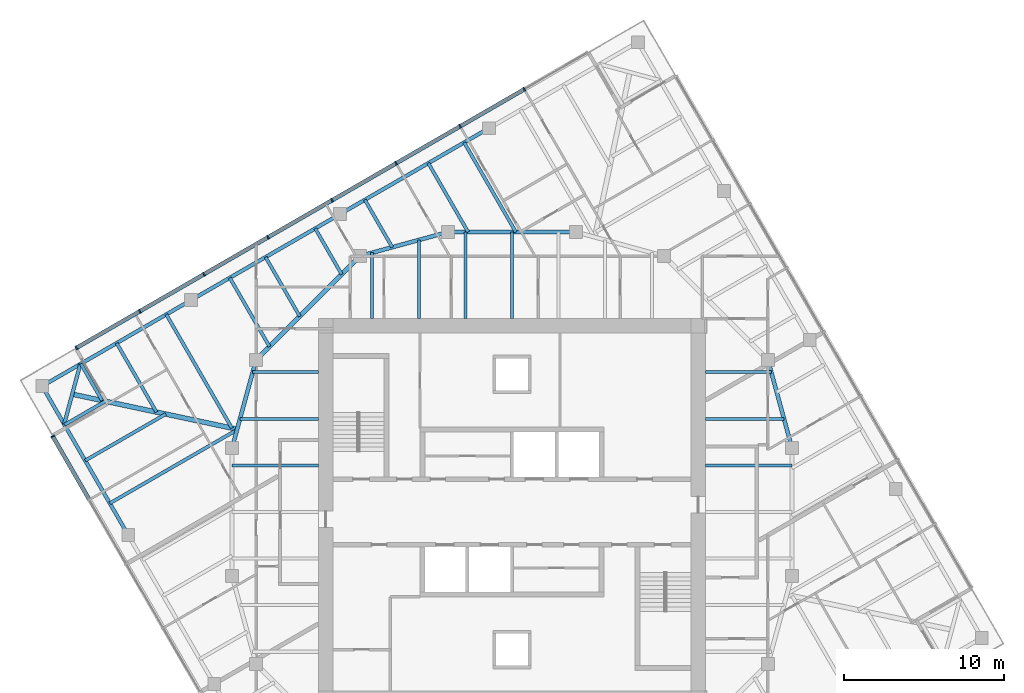
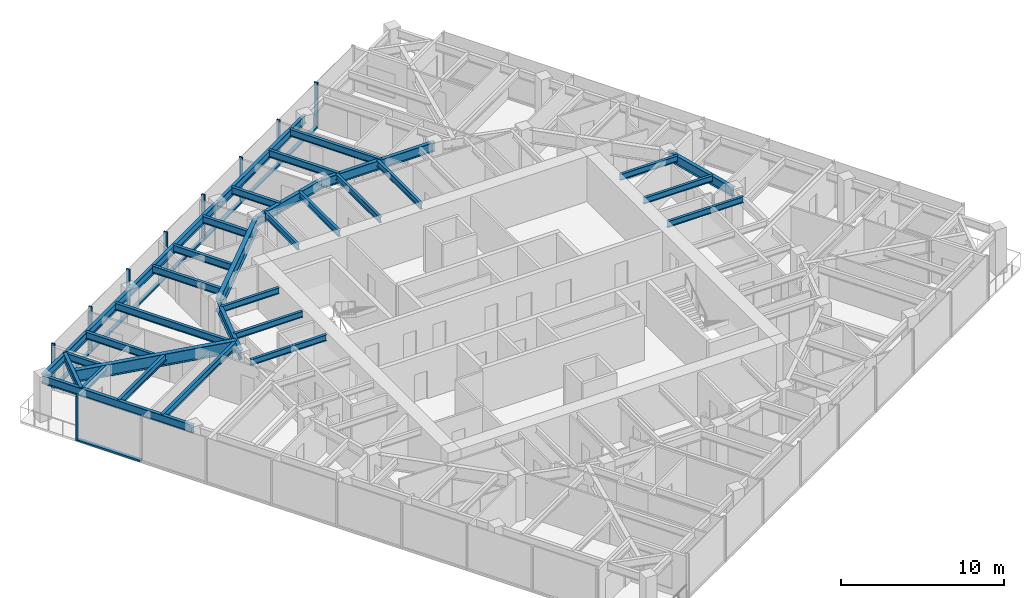
# One storey, part 4 of 12: 33 beams, 17 members, 2 elements without a shape of their own.
"""IFC4 building model written with IfcOpenShell, lengths in metres."""

import ifcopenshell
import ifcopenshell.guid

model = None  # the IFC model being written
_history = None  # IfcOwnerHistory: only IFC2X3 demands one
_inside = {}  # id of a spatial element -> (the spatial element, [elements in it])
_under = {}  # id of a project, library or spatial element -> (it, [spatial elements below it])
_declared = {}  # id of a project -> (the project, [libraries it declares])
_typed = {}  # id of a type object -> (the type object, [elements of that type])
_made_of = {}  # id of a material, layer set ... -> (it, [elements and type objects made of it])


def new_model(schema):
    """Start an empty IFC model of exactly this schema.

    Asked for "IFC4X3", IfcOpenShell would pick the latest addendum, in which some entities
    have other attributes; the version numbers below select the first issue.
    IFC2X3 requires an IfcOwnerHistory on every rooted entity: one is made here for all.
    """
    global model, _history
    if schema == "IFC4X3":
        model = ifcopenshell.file(schema_version=(4, 3, 0, 0))
    else:
        model = ifcopenshell.file(schema=schema)
    _inside.clear()
    _under.clear()
    _declared.clear()
    _typed.clear()
    _made_of.clear()
    _history = None
    if model.schema == "IFC2X3":
        org = make("IfcOrganization", Name="unknown")
        user = make(
            "IfcPersonAndOrganization",
            ThePerson=make("IfcPerson", FamilyName="unknown"),
            TheOrganization=org,
        )
        app = make(
            "IfcApplication",
            ApplicationDeveloper=org,
            Version="unknown",
            ApplicationFullName="unknown",
            ApplicationIdentifier="unknown",
        )
        _history = make(
            "IfcOwnerHistory",
            OwningUser=user,
            OwningApplication=app,
            ChangeAction="ADDED",
            CreationDate=0,
        )
    return model


def make(cls, **values):
    """One entity of the class cls with the attributes given. An attribute that is None is left unset."""
    return model.create_entity(
        cls, **{name: value for name, value in values.items() if value is not None}
    )


def rooted(cls, **values):
    """An entity with a GlobalId (a new one), such as an element, a storey or a relation."""
    return make(cls, GlobalId=ifcopenshell.guid.new(), OwnerHistory=_history, **values)


def si_unit(unit_type, name, prefix=None):
    """IfcSIUnit, for example si_unit("LENGTHUNIT", "METRE", prefix="MILLI")."""
    return make("IfcSIUnit", UnitType=unit_type, Prefix=prefix, Name=name)


def assignment(units):
    """IfcUnitAssignment: the units of a project."""
    return None if units is None else make("IfcUnitAssignment", Units=units)


def point(xyz):
    """IfcCartesianPoint."""
    return None if xyz is None else make("IfcCartesianPoint", Coordinates=xyz)


def direction(xyz):
    """IfcDirection."""
    return None if xyz is None else make("IfcDirection", DirectionRatios=xyz)


def frame(location, z_axis=None, x_axis=None):
    """IfcAxis2Placement3D, a coordinate frame: its origin and axes. An axis left out is left unset."""
    return make(
        "IfcAxis2Placement3D",
        Location=point(location),
        Axis=direction(z_axis),
        RefDirection=direction(x_axis),
    )


def frame_2d(location, x_axis=None):
    """IfcAxis2Placement2D, a coordinate frame in the plane: its origin and x axis."""
    return make(
        "IfcAxis2Placement2D", Location=point(location), RefDirection=direction(x_axis)
    )


def origin():
    """The frame at (0, 0, 0) with its axes left unset."""
    return frame((0.0, 0.0, 0.0))


def origin_2d():
    """The frame at (0, 0) in the plane with its x axis left unset."""
    return frame_2d((0.0, 0.0))


def place(relative_to, where):
    """IfcLocalPlacement: puts the frame where relative to a parent placement (None: the world)."""
    return make(
        "IfcLocalPlacement", PlacementRelTo=relative_to, RelativePlacement=where
    )


def context(
    kind, dimensions, precision=None, world=None, true_north=None, identifier=None
):
    """IfcGeometricRepresentationContext, for example the 3D "Model" context."""
    return make(
        "IfcGeometricRepresentationContext",
        ContextIdentifier=identifier,
        ContextType=kind,
        CoordinateSpaceDimension=dimensions,
        Precision=precision,
        WorldCoordinateSystem=world,
        TrueNorth=true_north,
    )


def subcontext(parent, identifier, kind, view, scale=None):
    """IfcGeometricRepresentationSubContext, for example "Body" below "Model"."""
    return make(
        "IfcGeometricRepresentationSubContext",
        ContextIdentifier=identifier,
        ContextType=kind,
        ParentContext=parent,
        TargetScale=scale,
        TargetView=view,
    )


def project(units=None, contexts=None):
    """IfcProject with its units and contexts."""
    return rooted(
        "IfcProject",
        Name="project",
        RepresentationContexts=contexts,
        UnitsInContext=assignment(units),
    )


def spatial(cls, under=None, at=None, **own):
    """A site, building, storey or space (cls), placed at a placement, below another one or the project."""
    s = rooted(cls, ObjectPlacement=at, **own)
    if under is not None:
        _under.setdefault(under.id(), (under, []))[1].append(s)
    return s


def profile(cls, at=None, kind="AREA", **sizes):
    """A parametric profile (cls). Its sizes go by their IFC names, for example OverallWidth=200.0."""
    return make(cls, ProfileType=kind, Position=at, **sizes)


def rectangle(**sizes):
    """IfcRectangleProfileDef."""
    return profile("IfcRectangleProfileDef", **sizes)


def i_section(**sizes):
    """IfcIShapeProfileDef."""
    return profile("IfcIShapeProfileDef", **sizes)


def extrude(swept, where, along, depth):
    """IfcExtrudedAreaSolid: the profile swept, set in the frame where, extruded along a direction by depth."""
    return make(
        "IfcExtrudedAreaSolid",
        SweptArea=swept,
        Position=where,
        ExtrudedDirection=direction(along),
        Depth=depth,
    )


def shape(context_of_items, identifier, shape_type, items):
    """IfcShapeRepresentation: the items that make up one representation, for example the "Body"."""
    return make(
        "IfcShapeRepresentation",
        ContextOfItems=context_of_items,
        RepresentationIdentifier=identifier,
        RepresentationType=shape_type,
        Items=items,
    )


def material(Name=None, Category=None):
    """IfcMaterial."""
    return make("IfcMaterial", Name=Name, Category=Category)


def material_profile(
    of_material, cross_section, Name=None, Category=None, Priority=None
):
    """IfcMaterialProfile: a cross section and its material."""
    return make(
        "IfcMaterialProfile",
        Name=Name,
        Material=of_material,
        Profile=cross_section,
        Priority=Priority,
        Category=Category,
    )


def profile_set(profiles, Name=None, composite=None):
    """IfcMaterialProfileSet."""
    return make(
        "IfcMaterialProfileSet",
        Name=Name,
        MaterialProfiles=profiles,
        CompositeProfile=composite,
    )


def made_of(thing, what):
    """Note that an element or type object is made of a material, layer set ...; save() writes the relation."""
    if what is not None:
        _made_of.setdefault(what.id(), (what, []))[1].append(thing)
    return thing


def type_object(cls, material=None, **own):
    """A type object (cls), such as IfcWallType, which elements share."""
    return made_of(rooted(cls, **own), material)


def element(
    cls,
    number,
    at=None,
    inside=None,
    cuts=None,
    type_object=None,
    material=None,
    context=None,
    identifier="Body",
    shape_type=None,
    held_by="IfcProductDefinitionShape",
    body=None,
    shapes=None,
    **own,
):
    """One element of the class cls, such as IfcWall. Its Tag is "e" and its number.

    at: its placement. inside: the storey or other place that contains it. cuts: it is an
    opening in that element (IfcRelVoidsElement). A single representation is given by context,
    identifier, shape_type and body (its items); several are given by shapes. held_by: the class
    of the entity that holds the representations. save() writes the other relations.
    """
    e = rooted(cls, Tag="e%d" % number, ObjectPlacement=at, **own)
    if body is not None:
        shapes = [shape(context, identifier, shape_type, body)]
    if shapes is not None:
        e.Representation = make(held_by, Representations=shapes)
    if inside is not None:
        _inside.setdefault(inside.id(), (inside, []))[1].append(e)
    if cuts is not None:
        rooted(
            "IfcRelVoidsElement", RelatingBuildingElement=cuts, RelatedOpeningElement=e
        )
    if type_object is not None:
        _typed.setdefault(type_object.id(), (type_object, []))[1].append(e)
    return made_of(e, material)


def aggregate(whole, parts):
    """IfcRelAggregates: a whole, such as a stair, and the parts it consists of."""
    return rooted("IfcRelAggregates", RelatingObject=whole, RelatedObjects=parts)


def save(model, path):
    """Write the relations noted so far, then the file.

    IfcRelAggregates (storeys below a building ...), IfcRelContainedInSpatialStructure (elements
    in a storey), IfcRelDefinesByType, IfcRelAssociatesMaterial and IfcRelDeclares: one each for
    every whole, place, type object, material and project.
    """
    for whole, parts in _under.values():
        aggregate(whole, parts)
    for where, things in _inside.values():
        rooted(
            "IfcRelContainedInSpatialStructure",
            RelatedElements=things,
            RelatingStructure=where,
        )
    for kind, things in _typed.values():
        rooted("IfcRelDefinesByType", RelatedObjects=things, RelatingType=kind)
    for what, things in _made_of.values():
        rooted("IfcRelAssociatesMaterial", RelatedObjects=things, RelatingMaterial=what)
    for by, libraries in _declared.values():
        rooted("IfcRelDeclares", RelatingContext=by, RelatedDefinitions=libraries)
    model.write(path)


model = new_model("IFC4")

# Units and contexts
model_context = context("Model", 3, precision=1e-05, world=origin(), true_north=direction((0.0, 1.0)))
body_context = subcontext(model_context, "Body", "Model", "MODEL_VIEW")
ifc_project = project(units=[si_unit("LENGTHUNIT", "METRE"), si_unit("AREAUNIT", "SQUARE_METRE"), si_unit("VOLUMEUNIT", "CUBIC_METRE"), si_unit("PLANEANGLEUNIT", "RADIAN"), si_unit("MASSUNIT", "GRAM", prefix="KILO")], contexts=[model_context])

# Site, building, storey
site_placement = place(None, origin())
site = spatial("IfcSite", under=ifc_project, at=site_placement, CompositionType="ELEMENT")
building_placement = place(site_placement, origin())
building = spatial("IfcBuilding", under=site, at=building_placement, Name="Torsade Residences", CompositionType="ELEMENT")
storey_placement = place(building_placement, frame((0.0, 0.0, 221.800048828125)))
storey = spatial("IfcBuildingStorey", under=building, at=storey_placement, Name="L61", CompositionType="ELEMENT", Elevation=221.800048828125)

# Beams
ifc_material_1 = material(Name="Steel grade 300", Category="steel")
ifc_material_profile_1 = material_profile(ifc_material_1, i_section(OverallWidth=0.300048828125, OverallDepth=0.89990234375, WebThickness=0.011962890625, FlangeThickness=0.02490234375, at=origin_2d()), Name="900WB175")
ifc_profile_set_1 = profile_set([ifc_material_profile_1], Name="Steel grade 300")
beam_type_1 = type_object("IfcBeamType", Name="CORNER GIRDER 900WB175", PredefinedType="BEAM", material=ifc_profile_set_1)
beam_1_placement = place(storey_placement, frame((12.5087890625, 37.3662109375, 2.800048828125), z_axis=(0.978115155685, -0.20806427425, 0.0), x_axis=(0.20806427425, 0.978115155685, 0.0)))
element("IfcBeam", 1, at=beam_1_placement, inside=storey, type_object=beam_type_1, Name="Corner girder 13 L62", PredefinedType="BEAM", context=body_context, shape_type="SweptSolid", body=[
    extrude(i_section(OverallWidth=0.300048828125, OverallDepth=0.89990234375, WebThickness=0.011962890625, FlangeThickness=0.02490234375, at=origin_2d()), origin(), (0.0, 0.0, 1.0), 10.541748046875),
])
ifc_material_2 = material(Name="Steel grade 300", Category="steel")
ifc_material_profile_2 = material_profile(ifc_material_2, i_section(OverallWidth=0.22802734375, OverallDepth=0.60205078125, WebThickness=0.010498046875, FlangeThickness=0.014892578125, FilletRadius=0.013916015625, at=origin_2d()), Name="610UB101")
ifc_profile_set_2 = profile_set([ifc_material_profile_2], Name="Steel grade 300")
beam_type_2 = type_object("IfcBeamType", Name="CORNER TRIMMER 610UB101", PredefinedType="BEAM", material=ifc_profile_set_2)
beam_2_placement = place(storey_placement, frame((12.00537109375, 35.488037109375, 2.948974609375), z_axis=(0.258822897619, 0.965924794002, 0.0), x_axis=(-0.965924794002, 0.258822897619, 0.0)))
element("IfcBeam", 2, at=beam_2_placement, inside=storey, type_object=beam_type_2, Name="Corner trimmer 13 L62", PredefinedType="BEAM", context=body_context, shape_type="SweptSolid", body=[
    extrude(i_section(OverallWidth=0.22802734375, OverallDepth=0.60205078125, WebThickness=0.010498046875, FlangeThickness=0.014892578125, FilletRadius=0.013916015625, at=origin_2d()), origin(), (0.0, 0.0, 1.0), 3.88916015625),
])
ifc_material_3 = material(Name="Steel grade 300", Category="steel")
ifc_material_profile_3 = material_profile(ifc_material_3, i_section(OverallWidth=0.22900390625, OverallDepth=0.612060546875, WebThickness=0.011962890625, FlangeThickness=0.01953125, FilletRadius=0.013916015625, at=origin_2d()), Name="610UB125")
ifc_profile_set_3 = profile_set([ifc_material_profile_3], Name="Steel grade 300")
beam_type_3 = type_object("IfcBeamType", Name="EDGE BEAM 610UB125", PredefinedType="SPANDREL", material=ifc_profile_set_3)
for number, where, z_axis, x_axis, name in (
    (3, (38.559814453125, 53.99462890625, 2.94384765625), (-0.866026365697, -0.499998333915, 0.0), (0.499998333915, -0.866026365697, 0.0), "Edge beam 10 L62"),
    (4, (29.25, 48.61962890625, 2.94384765625), (-0.866026365697, -0.499998333915, 0.0), (0.499998333915, -0.866026365697, 0.0), "Edge beam 11 L62"),
    (5, (19.940185546875, 43.24462890625, 2.94384765625), (-0.866026365697, -0.499998333915, 0.0), (0.499998333915, -0.866026365697, 0.0), "Edge beam 12 L62"),
    (6, (10.63037109375, 37.86962890625, 2.94384765625), (0.499998333915, -0.866026365697, 0.0), (0.866026365697, 0.499998333915, 0.0), "Edge beam 13 L62"),
):
    element("IfcBeam", number, at=place(storey_placement, frame(where, z_axis=z_axis, x_axis=x_axis)), inside=storey, type_object=beam_type_3, Name=name, PredefinedType="SPANDREL", context=body_context, shape_type="SweptSolid", body=[
        extrude(i_section(OverallWidth=0.22900390625, OverallDepth=0.612060546875, WebThickness=0.011962890625, FlangeThickness=0.01953125, FilletRadius=0.013916015625, at=origin_2d()), origin(), (0.0, 0.0, 1.0), 10.75),
    ])

# Curtain wall, members
ifc_material_4 = material(Name="Aluminium and glass", Category="aluminium")
curtain_wall_type = type_object("IfcCurtainWallType", Name="FRITTED GLASS CURTAIN WALL HIGH ZONE", PredefinedType="NOTDEFINED", material=ifc_material_4)
curtain_wall_1_placement = place(storey_placement, origin())
curtain_wall_1 = element("IfcCurtainWall", 7, at=curtain_wall_1_placement, inside=storey, type_object=curtain_wall_type, Name="Curtain wall L61 face 7", PredefinedType="NOTDEFINED")
ifc_material_5 = material(Name="Aluminium mullion", Category="aluminium")
ifc_material_profile_4 = material_profile(ifc_material_5, rectangle(XDim=0.25, YDim=0.10009765625, at=origin_2d()), Name="HIGH ZONE CURTAIN WALL MULLION 250x100")
ifc_profile_set_4 = profile_set([ifc_material_profile_4], Name="Aluminium mullion")
member_type_1 = type_object("IfcMemberType", Name="HIGH ZONE CURTAIN WALL MULLION 250x100", PredefinedType="MULLION", material=ifc_profile_set_4)
member_1_placement = place(storey_placement, frame((40.76611328125, 56.423095703125, 0.0), z_axis=(0.0, 0.0, 1.0), x_axis=(0.499999999305, -0.866025404186, 0.0)))
member_1 = element("IfcMember", 8, at=member_1_placement, type_object=member_type_1, Name="Mullion 2", PredefinedType="MULLION", context=body_context, shape_type="SweptSolid", body=[
    extrude(rectangle(XDim=0.25, YDim=0.10009765625, at=origin_2d()), origin(), (0.0, 0.0, 1.0), 3.39990234375),
])
member_2_placement = place(storey_placement, frame((36.7607421875, 54.110595703125, 0.0), z_axis=(0.0, 0.0, 1.0), x_axis=(0.499999999305, -0.866025404186, 0.0)))
member_2 = element("IfcMember", 9, at=member_2_placement, type_object=member_type_1, Name="Mullion 3", PredefinedType="MULLION", context=body_context, shape_type="SweptSolid", body=[
    extrude(rectangle(XDim=0.25, YDim=0.10009765625, at=origin_2d()), origin(), (0.0, 0.0, 1.0), 3.39990234375),
])
member_3_placement = place(storey_placement, frame((32.75537109375, 51.798095703125, 0.0), z_axis=(0.0, 0.0, 1.0), x_axis=(0.499999999305, -0.866025404186, 0.0)))
member_3 = element("IfcMember", 10, at=member_3_placement, type_object=member_type_1, Name="Mullion 4", PredefinedType="MULLION", context=body_context, shape_type="SweptSolid", body=[
    extrude(rectangle(XDim=0.25, YDim=0.10009765625, at=origin_2d()), origin(), (0.0, 0.0, 1.0), 3.39990234375),
])
member_4_placement = place(storey_placement, frame((28.75, 49.485595703125, 0.0), z_axis=(0.0, 0.0, 1.0), x_axis=(0.499999999305, -0.866025404186, 0.0)))
member_4 = element("IfcMember", 11, at=member_4_placement, type_object=member_type_1, Name="Mullion 5", PredefinedType="MULLION", context=body_context, shape_type="SweptSolid", body=[
    extrude(rectangle(XDim=0.25, YDim=0.10009765625, at=origin_2d()), origin(), (0.0, 0.0, 1.0), 3.39990234375),
])
member_5_placement = place(storey_placement, frame((24.74462890625, 47.173095703125, 0.0), z_axis=(0.0, 0.0, 1.0), x_axis=(0.499999999305, -0.866025404186, 0.0)))
member_5 = element("IfcMember", 12, at=member_5_placement, type_object=member_type_1, Name="Mullion 6", PredefinedType="MULLION", context=body_context, shape_type="SweptSolid", body=[
    extrude(rectangle(XDim=0.25, YDim=0.10009765625, at=origin_2d()), origin(), (0.0, 0.0, 1.0), 3.39990234375),
])
member_6_placement = place(storey_placement, frame((20.7392578125, 44.860595703125, 0.0), z_axis=(0.0, 0.0, 1.0), x_axis=(0.499999999305, -0.866025404186, 0.0)))
member_6 = element("IfcMember", 13, at=member_6_placement, type_object=member_type_1, Name="Mullion 7", PredefinedType="MULLION", context=body_context, shape_type="SweptSolid", body=[
    extrude(rectangle(XDim=0.25, YDim=0.10009765625, at=origin_2d()), origin(), (0.0, 0.0, 1.0), 3.39990234375),
])
member_7_placement = place(storey_placement, frame((16.73388671875, 42.548095703125, 0.0), z_axis=(0.0, 0.0, 1.0), x_axis=(0.499999999305, -0.866025404186, 0.0)))
member_7 = element("IfcMember", 14, at=member_7_placement, type_object=member_type_1, Name="Mullion 8", PredefinedType="MULLION", context=body_context, shape_type="SweptSolid", body=[
    extrude(rectangle(XDim=0.25, YDim=0.10009765625, at=origin_2d()), origin(), (0.0, 0.0, 1.0), 3.39990234375),
])
member_8_placement = place(storey_placement, frame((12.771728515625, 40.260498046875, 0.0), z_axis=(0.0, 0.0, 1.0), x_axis=(0.499999999305, -0.866025404186, 0.0)))
member_8 = element("IfcMember", 15, at=member_8_placement, type_object=member_type_1, Name="Mullion 9", PredefinedType="MULLION", context=body_context, shape_type="SweptSolid", body=[
    extrude(rectangle(XDim=0.25, YDim=0.10009765625, at=origin_2d()), origin(), (0.0, 0.0, 1.0), 3.39990234375),
])

# Curtain wall, member
curtain_wall_2_placement = place(storey_placement, origin())
curtain_wall_2 = element("IfcCurtainWall", 16, at=curtain_wall_2_placement, inside=storey, type_object=curtain_wall_type, Name="Curtain wall L61 face 10", PredefinedType="NOTDEFINED")
member_9_placement = place(storey_placement, frame((11.289306640625, 34.728271484375, 0.0), z_axis=(0.0, 0.0, 1.0), x_axis=(0.866025404186, 0.499999999305, 0.0)))
member_9 = element("IfcMember", 17, at=member_9_placement, type_object=member_type_1, Name="Mullion 1", PredefinedType="MULLION", context=body_context, shape_type="SweptSolid", body=[
    extrude(rectangle(XDim=0.25, YDim=0.10009765625, at=origin_2d()), origin(), (0.0, 0.0, 1.0), 3.39990234375),
])

# Member
ifc_material_6 = material(Name="Aluminium transom", Category="aluminium")
ifc_material_profile_5 = material_profile(ifc_material_6, rectangle(XDim=0.25, YDim=0.1201171875, at=origin_2d()), Name="HIGH ZONE CURTAIN WALL TRANSOM 250x120")
ifc_profile_set_5 = profile_set([ifc_material_profile_5], Name="Aluminium transom")
member_type_2 = type_object("IfcMemberType", Name="HIGH ZONE CURTAIN WALL TRANSOM 250x120", PredefinedType="USERDEFINED", material=ifc_profile_set_5)
member_10_placement = place(storey_placement, frame((40.722900390625, 56.398193359375, 0.06005859375), z_axis=(-0.866016678684, -0.500015112013, 0.0), x_axis=(0.500015112013, -0.866016678684, 0.0)))
member_10 = element("IfcMember", 18, at=member_10_placement, type_object=member_type_2, Name="Transom 2.1", ObjectType="TRANSOM", PredefinedType="USERDEFINED", context=body_context, shape_type="SweptSolid", body=[
    extrude(rectangle(XDim=0.25, YDim=0.1201171875, at=origin_2d()), origin(), (0.0, 0.0, 1.0), 4.525146484375),
])

member_11_placement = place(storey_placement, frame((36.717529296875, 54.085693359375, 0.06005859375), z_axis=(-0.866016678684, -0.500015112013, 0.0), x_axis=(0.500015112013, -0.866016678684, 0.0)))
member_11 = element("IfcMember", 19, at=member_11_placement, type_object=member_type_2, Name="Transom 3.1", ObjectType="TRANSOM", PredefinedType="USERDEFINED", context=body_context, shape_type="SweptSolid", body=[
    extrude(rectangle(XDim=0.25, YDim=0.1201171875, at=origin_2d()), origin(), (0.0, 0.0, 1.0), 4.525146484375),
])

member_12_placement = place(storey_placement, frame((32.712158203125, 51.773193359375, 0.06005859375), z_axis=(-0.866016678684, -0.500015112013, 0.0), x_axis=(0.500015112013, -0.866016678684, 0.0)))
member_12 = element("IfcMember", 20, at=member_12_placement, type_object=member_type_2, Name="Transom 4.1", ObjectType="TRANSOM", PredefinedType="USERDEFINED", context=body_context, shape_type="SweptSolid", body=[
    extrude(rectangle(XDim=0.25, YDim=0.1201171875, at=origin_2d()), origin(), (0.0, 0.0, 1.0), 4.525146484375),
])

member_13_placement = place(storey_placement, frame((28.706787109375, 49.460693359375, 0.06005859375), z_axis=(-0.866016678684, -0.500015112013, 0.0), x_axis=(0.500015112013, -0.866016678684, 0.0)))
member_13 = element("IfcMember", 21, at=member_13_placement, type_object=member_type_2, Name="Transom 5.1", ObjectType="TRANSOM", PredefinedType="USERDEFINED", context=body_context, shape_type="SweptSolid", body=[
    extrude(rectangle(XDim=0.25, YDim=0.1201171875, at=origin_2d()), origin(), (0.0, 0.0, 1.0), 4.525146484375),
])

member_14_placement = place(storey_placement, frame((24.701416015625, 47.148193359375, 0.06005859375), z_axis=(-0.866016678684, -0.500015112013, 0.0), x_axis=(0.500015112013, -0.866016678684, 0.0)))
member_14 = element("IfcMember", 22, at=member_14_placement, type_object=member_type_2, Name="Transom 6.1", ObjectType="TRANSOM", PredefinedType="USERDEFINED", context=body_context, shape_type="SweptSolid", body=[
    extrude(rectangle(XDim=0.25, YDim=0.1201171875, at=origin_2d()), origin(), (0.0, 0.0, 1.0), 4.525146484375),
])

member_15_placement = place(storey_placement, frame((20.696044921875, 44.835693359375, 0.06005859375), z_axis=(-0.866016678684, -0.500015112013, 0.0), x_axis=(0.500015112013, -0.866016678684, 0.0)))
member_15 = element("IfcMember", 23, at=member_15_placement, type_object=member_type_2, Name="Transom 7.1", ObjectType="TRANSOM", PredefinedType="USERDEFINED", context=body_context, shape_type="SweptSolid", body=[
    extrude(rectangle(XDim=0.25, YDim=0.1201171875, at=origin_2d()), origin(), (0.0, 0.0, 1.0), 4.525146484375),
])

member_16_placement = place(storey_placement, frame((16.690673828125, 42.523193359375, 0.06005859375), z_axis=(-0.866022053326, -0.50000580312, 0.0), x_axis=(0.50000580312, -0.866022053326, 0.0)))
member_16 = element("IfcMember", 24, at=member_16_placement, type_object=member_type_2, Name="Transom 8.1", ObjectType="TRANSOM", PredefinedType="USERDEFINED", context=body_context, shape_type="SweptSolid", body=[
    extrude(rectangle(XDim=0.25, YDim=0.1201171875, at=origin_2d()), origin(), (0.0, 0.0, 1.0), 4.47509765625),
])

aggregate(curtain_wall_1, [member_1, member_2, member_3, member_4, member_5, member_6, member_7, member_8, member_10, member_11, member_12, member_13, member_14, member_15, member_16])

member_17_placement = place(storey_placement, frame((11.314453125, 34.684814453125, 0.06005859375), z_axis=(0.50000580312, -0.866022053326, 0.0), x_axis=(0.866022053326, 0.50000580312, 0.0)))
member_17 = element("IfcMember", 25, at=member_17_placement, type_object=member_type_2, Name="Transom 1.1", ObjectType="TRANSOM", PredefinedType="USERDEFINED", context=body_context, shape_type="SweptSolid", body=[
    extrude(rectangle(XDim=0.25, YDim=0.1201171875, at=origin_2d()), origin(), (0.0, 0.0, 1.0), 4.47509765625),
])

aggregate(curtain_wall_2, [member_9, member_17])

# Beams
ifc_material_7 = material(Name="Steel grade 300", Category="steel")
ifc_material_profile_6 = material_profile(ifc_material_7, i_section(OverallWidth=0.18994140625, OverallDepth=0.4541015625, WebThickness=0.008544921875, FlangeThickness=0.0126953125, FilletRadius=0.011474609375, at=origin_2d()), Name="460UB67.1")
ifc_profile_set_6 = profile_set([ifc_material_profile_6], Name="Steel grade 300")
beam_type_4 = type_object("IfcBeamType", Name="INNER FLOOR BEAM 460UB67.1", PredefinedType="JOIST", material=ifc_profile_set_6)
beam_3_placement = place(storey_placement, frame((31.262451171875, 42.10009765625, 3.02294921875), z_axis=(0.0, 1.0, 0.0), x_axis=(-1.0, 0.0, 0.0)))
element("IfcBeam", 26, at=beam_3_placement, inside=storey, type_object=beam_type_4, Name="Inner floor beam IN01 L62", PredefinedType="JOIST", context=body_context, shape_type="SweptSolid", body=[
    extrude(i_section(OverallWidth=0.18994140625, OverallDepth=0.4541015625, WebThickness=0.008544921875, FlangeThickness=0.0126953125, FilletRadius=0.011474609375, at=origin_2d()), origin(), (0.0, 0.0, 1.0), 4.10791015625),
])
beam_4_placement = place(storey_placement, frame((34.175048828125, 42.10009765625, 3.02294921875), z_axis=(0.0, 1.0, 0.0), x_axis=(-1.0, 0.0, 0.0)))
element("IfcBeam", 27, at=beam_4_placement, inside=storey, type_object=beam_type_4, Name="Inner floor beam IN02 L62", PredefinedType="JOIST", context=body_context, shape_type="SweptSolid", body=[
    extrude(i_section(OverallWidth=0.18994140625, OverallDepth=0.4541015625, WebThickness=0.008544921875, FlangeThickness=0.0126953125, FilletRadius=0.011474609375, at=origin_2d()), origin(), (0.0, 0.0, 1.0), 4.902099609375),
])
for number, where, z_axis, x_axis, name in (
    (28, (37.08740234375, 42.10009765625, 3.02294921875), (0.0, 1.0, 0.0), (-1.0, 0.0, 0.0), "Inner floor beam IN03 L62"),
    (29, (40.0, 42.10009765625, 3.02294921875), (0.0, 1.0, 0.0), (-1.0, 0.0, 0.0), "Inner floor beam IN04 L62"),
    (30, (52.10009765625, 32.91259765625, 3.02294921875), (1.0, 0.0, 0.0), (0.0, 1.0, 0.0), "Inner floor beam IE05 L62"),
):
    element("IfcBeam", number, at=place(storey_placement, frame(where, z_axis=z_axis, x_axis=x_axis)), inside=storey, type_object=beam_type_4, Name=name, PredefinedType="JOIST", context=body_context, shape_type="SweptSolid", body=[
        extrude(i_section(OverallWidth=0.18994140625, OverallDepth=0.4541015625, WebThickness=0.008544921875, FlangeThickness=0.0126953125, FilletRadius=0.011474609375, at=origin_2d()), origin(), (0.0, 0.0, 1.0), 5.39990234375),
    ])
beam_5_placement = place(storey_placement, frame((52.10009765625, 35.824951171875, 3.02294921875), z_axis=(1.0, 0.0, 0.0), x_axis=(0.0, 1.0, 0.0)))
element("IfcBeam", 31, at=beam_5_placement, inside=storey, type_object=beam_type_4, Name="Inner floor beam IE06 L62", PredefinedType="JOIST", context=body_context, shape_type="SweptSolid", body=[
    extrude(i_section(OverallWidth=0.18994140625, OverallDepth=0.4541015625, WebThickness=0.008544921875, FlangeThickness=0.0126953125, FilletRadius=0.011474609375, at=origin_2d()), origin(), (0.0, 0.0, 1.0), 4.902099609375),
])
for number, where, z_axis, x_axis, name in (
    (32, (52.10009765625, 38.737548828125, 3.02294921875), (1.0, 0.0, 0.0), (0.0, 1.0, 0.0), "Inner floor beam IE07 L62"),
    (33, (27.89990234375, 38.737548828125, 3.02294921875), (-1.0, 0.0, 0.0), (0.0, -1.0, 0.0), "Inner floor beam IW01 L62"),
):
    element("IfcBeam", number, at=place(storey_placement, frame(where, z_axis=z_axis, x_axis=x_axis)), inside=storey, type_object=beam_type_4, Name=name, PredefinedType="JOIST", context=body_context, shape_type="SweptSolid", body=[
        extrude(i_section(OverallWidth=0.18994140625, OverallDepth=0.4541015625, WebThickness=0.008544921875, FlangeThickness=0.0126953125, FilletRadius=0.011474609375, at=origin_2d()), origin(), (0.0, 0.0, 1.0), 4.10791015625),
    ])
beam_6_placement = place(storey_placement, frame((27.89990234375, 35.824951171875, 3.02294921875), z_axis=(-1.0, 0.0, 0.0), x_axis=(0.0, -1.0, 0.0)))
element("IfcBeam", 34, at=beam_6_placement, inside=storey, type_object=beam_type_4, Name="Inner floor beam IW02 L62", PredefinedType="JOIST", context=body_context, shape_type="SweptSolid", body=[
    extrude(i_section(OverallWidth=0.18994140625, OverallDepth=0.4541015625, WebThickness=0.008544921875, FlangeThickness=0.0126953125, FilletRadius=0.011474609375, at=origin_2d()), origin(), (0.0, 0.0, 1.0), 4.902099609375),
])
beam_7_placement = place(storey_placement, frame((27.89990234375, 32.91259765625, 3.02294921875), z_axis=(-1.0, 0.0, 0.0), x_axis=(0.0, -1.0, 0.0)))
element("IfcBeam", 35, at=beam_7_placement, inside=storey, type_object=beam_type_4, Name="Inner floor beam IW03 L62", PredefinedType="JOIST", context=body_context, shape_type="SweptSolid", body=[
    extrude(i_section(OverallWidth=0.18994140625, OverallDepth=0.4541015625, WebThickness=0.008544921875, FlangeThickness=0.0126953125, FilletRadius=0.011474609375, at=origin_2d()), origin(), (0.0, 0.0, 1.0), 5.39990234375),
])
ifc_material_8 = material(Name="Steel grade 300", Category="steel")
ifc_material_profile_7 = material_profile(ifc_material_8, i_section(OverallWidth=0.300048828125, OverallDepth=1.0, WebThickness=0.01611328125, FlangeThickness=0.028076171875, at=origin_2d()), Name="1000WB215")
ifc_profile_set_7 = profile_set([ifc_material_profile_7], Name="Steel grade 300")
beam_type_5 = type_object("IfcBeamType", Name="RING CORNER GIRDER 1000WB215", PredefinedType="BEAM", material=ifc_profile_set_7)
beam_8_placement = place(storey_placement, frame((30.5, 46.0, 2.75), z_axis=(-0.707106781187, -0.707106781187, 0.0), x_axis=(0.707106781187, -0.707106781187, 0.0)))
element("IfcBeam", 36, at=beam_8_placement, inside=storey, type_object=beam_type_5, Name="Ring girder IR07 L62", PredefinedType="BEAM", context=body_context, shape_type="SweptSolid", body=[
    extrude(i_section(OverallWidth=0.300048828125, OverallDepth=1.0, WebThickness=0.01611328125, FlangeThickness=0.028076171875, at=origin_2d()), origin(), (0.0, 0.0, 1.0), 9.1923828125),
])
ifc_material_9 = material(Name="Steel grade 300", Category="steel")
ifc_material_profile_8 = material_profile(ifc_material_9, i_section(OverallWidth=0.25, OverallDepth=0.699951171875, WebThickness=0.010009765625, FlangeThickness=0.02001953125, at=origin_2d()), Name="700WB130")
ifc_profile_set_8 = profile_set([ifc_material_profile_8], Name="Steel grade 300")
beam_type_6 = type_object("IfcBeamType", Name="RING GIRDER 700WB130", PredefinedType="BEAM", material=ifc_profile_set_8)
beam_9_placement = place(storey_placement, frame((57.5, 34.0, 2.89990234375), z_axis=(-0.263117405792, 0.964763821238, 0.0), x_axis=(-0.964763821238, -0.263117405792, 0.0)))
element("IfcBeam", 37, at=beam_9_placement, inside=storey, type_object=beam_type_6, Name="Ring girder IR02 L62", PredefinedType="BEAM", context=body_context, shape_type="SweptSolid", body=[
    extrude(i_section(OverallWidth=0.25, OverallDepth=0.699951171875, WebThickness=0.010009765625, FlangeThickness=0.02001953125, at=origin_2d()), origin(), (0.0, 0.0, 1.0), 5.700927734375),
])
beam_10_placement = place(storey_placement, frame((44.0, 47.5, 2.89990234375), z_axis=(-1.0, 0.0, 0.0), x_axis=(0.0, -1.0, 0.0)))
element("IfcBeam", 38, at=beam_10_placement, inside=storey, type_object=beam_type_6, Name="Ring girder IR05 L62", PredefinedType="BEAM", context=body_context, shape_type="SweptSolid", body=[
    extrude(i_section(OverallWidth=0.25, OverallDepth=0.699951171875, WebThickness=0.010009765625, FlangeThickness=0.02001953125, at=origin_2d()), origin(), (0.0, 0.0, 1.0), 8.0),
])
for number, where, z_axis, x_axis, name in (
    (39, (36.0, 47.5, 2.89990234375), (-0.964763821238, -0.263117405792, 0.0), (0.263117405792, -0.964763821238, 0.0), "Ring girder IR06 L62"),
    (40, (24.0, 39.5, 2.89990234375), (-0.263117405792, -0.964763821238, 0.0), (0.964763821238, -0.263117405792, 0.0), "Ring girder IR08 L62"),
):
    element("IfcBeam", number, at=place(storey_placement, frame(where, z_axis=z_axis, x_axis=x_axis)), inside=storey, type_object=beam_type_6, Name=name, PredefinedType="BEAM", context=body_context, shape_type="SweptSolid", body=[
        extrude(i_section(OverallWidth=0.25, OverallDepth=0.699951171875, WebThickness=0.010009765625, FlangeThickness=0.02001953125, at=origin_2d()), origin(), (0.0, 0.0, 1.0), 5.700927734375),
    ])
ifc_material_10 = material(Name="Steel grade 300", Category="steel")
ifc_material_profile_9 = material_profile(ifc_material_10, i_section(OverallWidth=0.208984375, OverallDepth=0.528076171875, WebThickness=0.009521484375, FlangeThickness=0.01318359375, FilletRadius=0.013916015625, at=origin_2d()), Name="530UB82.0")
ifc_profile_set_9 = profile_set([ifc_material_profile_9], Name="Steel grade 300")
beam_type_7 = type_object("IfcBeamType", Name="SECONDARY BEAM 530UB82.0", PredefinedType="JOIST", material=ifc_profile_set_9)
beam_11_placement = place(storey_placement, frame((37.008056640625, 53.0986328125, 2.98583984375), z_axis=(0.500005767435, -0.866022073929, 0.0), x_axis=(0.866022073929, 0.500005767435, 0.0)))
element("IfcBeam", 41, at=beam_11_placement, inside=storey, type_object=beam_type_7, Name="Floor beam FN04 L62", PredefinedType="JOIST", context=body_context, shape_type="SweptSolid", body=[
    extrude(i_section(OverallWidth=0.208984375, OverallDepth=0.528076171875, WebThickness=0.009521484375, FlangeThickness=0.01318359375, FilletRadius=0.013916015625, at=origin_2d()), origin(), (0.0, 0.0, 1.0), 6.46484375),
])
beam_12_placement = place(storey_placement, frame((34.77099609375, 51.80712890625, 2.98583984375), z_axis=(0.499977414361, -0.866038443216, 0.0), x_axis=(0.866038443216, 0.499977414361, 0.0)))
element("IfcBeam", 42, at=beam_12_placement, inside=storey, type_object=beam_type_7, Name="Floor beam FN05 L62", PredefinedType="JOIST", context=body_context, shape_type="SweptSolid", body=[
    extrude(i_section(OverallWidth=0.208984375, OverallDepth=0.528076171875, WebThickness=0.009521484375, FlangeThickness=0.01318359375, FilletRadius=0.013916015625, at=origin_2d()), origin(), (0.0, 0.0, 1.0), 4.973388671875),
])
beam_13_placement = place(storey_placement, frame((30.801513671875, 49.515380859375, 2.98583984375), z_axis=(0.500041249073, -0.866001587311, 0.0), x_axis=(0.866001587311, 0.500041249073, 0.0)))
element("IfcBeam", 43, at=beam_13_placement, inside=storey, type_object=beam_type_7, Name="Floor beam FN06 L62", PredefinedType="JOIST", context=body_context, shape_type="SweptSolid", body=[
    extrude(i_section(OverallWidth=0.208984375, OverallDepth=0.528076171875, WebThickness=0.009521484375, FlangeThickness=0.01318359375, FilletRadius=0.013916015625, at=origin_2d()), origin(), (0.0, 0.0, 1.0), 3.425048828125),
])
beam_14_placement = place(storey_placement, frame((27.698486328125, 47.7236328125, 2.98583984375), z_axis=(0.499975512502, -0.866039541186, 0.0), x_axis=(0.866039541186, 0.499975512502, 0.0)))
element("IfcBeam", 44, at=beam_14_placement, inside=storey, type_object=beam_type_7, Name="Floor beam FN07 L62", PredefinedType="JOIST", context=body_context, shape_type="SweptSolid", body=[
    extrude(i_section(OverallWidth=0.208984375, OverallDepth=0.528076171875, WebThickness=0.009521484375, FlangeThickness=0.01318359375, FilletRadius=0.013916015625, at=origin_2d()), origin(), (0.0, 0.0, 1.0), 3.312744140625),
])
beam_15_placement = place(storey_placement, frame((24.59521484375, 45.93212890625, 2.98583984375), z_axis=(0.500004369671, -0.866022880939, 0.0), x_axis=(0.866022880939, 0.500004369671, 0.0)))
element("IfcBeam", 45, at=beam_15_placement, inside=storey, type_object=beam_type_7, Name="Floor beam FN08 L62", PredefinedType="JOIST", context=body_context, shape_type="SweptSolid", body=[
    extrude(i_section(OverallWidth=0.208984375, OverallDepth=0.528076171875, WebThickness=0.009521484375, FlangeThickness=0.01318359375, FilletRadius=0.013916015625, at=origin_2d()), origin(), (0.0, 0.0, 1.0), 4.27294921875),
])
beam_16_placement = place(storey_placement, frame((22.35791015625, 44.640380859375, 2.98583984375), z_axis=(0.49996790502, -0.866043933037, 0.0), x_axis=(0.866043933037, 0.49996790502, 0.0)))
element("IfcBeam", 46, at=beam_16_placement, inside=storey, type_object=beam_type_7, Name="Floor beam FN09 L62", PredefinedType="JOIST", context=body_context, shape_type="SweptSolid", body=[
    extrude(i_section(OverallWidth=0.208984375, OverallDepth=0.528076171875, WebThickness=0.009521484375, FlangeThickness=0.01318359375, FilletRadius=0.013916015625, at=origin_2d()), origin(), (0.0, 0.0, 1.0), 4.965087890625),
])
beam_17_placement = place(storey_placement, frame((18.388671875, 42.3486328125, 2.98583984375), z_axis=(0.499992034702, -0.866030002502, 0.0), x_axis=(0.866030002502, 0.499992034702, 0.0)))
element("IfcBeam", 47, at=beam_17_placement, inside=storey, type_object=beam_type_7, Name="Floor beam FN10 L62", PredefinedType="JOIST", context=body_context, shape_type="SweptSolid", body=[
    extrude(i_section(OverallWidth=0.208984375, OverallDepth=0.528076171875, WebThickness=0.009521484375, FlangeThickness=0.01318359375, FilletRadius=0.013916015625, at=origin_2d()), origin(), (0.0, 0.0, 1.0), 8.205322265625),
])
beam_18_placement = place(storey_placement, frame((15.285400390625, 40.55712890625, 2.98583984375), z_axis=(0.499968694491, -0.866043477274, 0.0), x_axis=(0.866043477274, 0.499968694491, 0.0)))
element("IfcBeam", 48, at=beam_18_placement, inside=storey, type_object=beam_type_7, Name="Floor beam FN11 L62", PredefinedType="JOIST", context=body_context, shape_type="SweptSolid", body=[
    extrude(i_section(OverallWidth=0.208984375, OverallDepth=0.528076171875, WebThickness=0.009521484375, FlangeThickness=0.01318359375, FilletRadius=0.013916015625, at=origin_2d()), origin(), (0.0, 0.0, 1.0), 4.977783203125),
])
beam_19_placement = place(storey_placement, frame((13.048095703125, 39.265380859375, 2.98583984375), z_axis=(0.499972238474, -0.866041431316, 0.0), x_axis=(0.866041431316, 0.499972238474, 0.0)))
element("IfcBeam", 49, at=beam_19_placement, inside=storey, type_object=beam_type_7, Name="Floor beam FN12 L62", PredefinedType="JOIST", context=body_context, shape_type="SweptSolid", body=[
    extrude(i_section(OverallWidth=0.208984375, OverallDepth=0.528076171875, WebThickness=0.009521484375, FlangeThickness=0.01318359375, FilletRadius=0.013916015625, at=origin_2d()), origin(), (0.0, 0.0, 1.0), 2.651123046875),
])
beam_20_placement = place(storey_placement, frame((12.0263671875, 35.451904296875, 2.98583984375), z_axis=(0.866017313224, 0.500014013, 0.0), x_axis=(-0.500014013, 0.866017313224, 0.0)))
element("IfcBeam", 50, at=beam_20_placement, inside=storey, type_object=beam_type_7, Name="Floor beam FW01 L62", PredefinedType="JOIST", context=body_context, shape_type="SweptSolid", body=[
    extrude(i_section(OverallWidth=0.208984375, OverallDepth=0.528076171875, WebThickness=0.009521484375, FlangeThickness=0.01318359375, FilletRadius=0.013916015625, at=origin_2d()), origin(), (0.0, 0.0, 1.0), 2.94775390625),
])
beam_21_placement = place(storey_placement, frame((13.31787109375, 33.214599609375, 2.98583984375), z_axis=(0.866031100357, 0.499990133118, 0.0), x_axis=(-0.499990133118, 0.866031100357, 0.0)))
element("IfcBeam", 51, at=beam_21_placement, inside=storey, type_object=beam_type_7, Name="Floor beam FW02 L62", PredefinedType="JOIST", context=body_context, shape_type="SweptSolid", body=[
    extrude(i_section(OverallWidth=0.208984375, OverallDepth=0.528076171875, WebThickness=0.009521484375, FlangeThickness=0.01318359375, FilletRadius=0.013916015625, at=origin_2d()), origin(), (0.0, 0.0, 1.0), 5.81591796875),
])
beam_22_placement = place(storey_placement, frame((14.859619140625, 30.54443359375, 2.98583984375), z_axis=(0.866021712342, 0.500006393711, 0.0), x_axis=(-0.500006393711, 0.866021712342, 0.0)))
element("IfcBeam", 52, at=beam_22_placement, inside=storey, type_object=beam_type_7, Name="Floor beam FW03 L62", PredefinedType="JOIST", context=body_context, shape_type="SweptSolid", body=[
    extrude(i_section(OverallWidth=0.208984375, OverallDepth=0.528076171875, WebThickness=0.009521484375, FlangeThickness=0.01318359375, FilletRadius=0.013916015625, at=origin_2d()), origin(), (0.0, 0.0, 1.0), 9.1796875),
])

save(model, "model.ifc")
